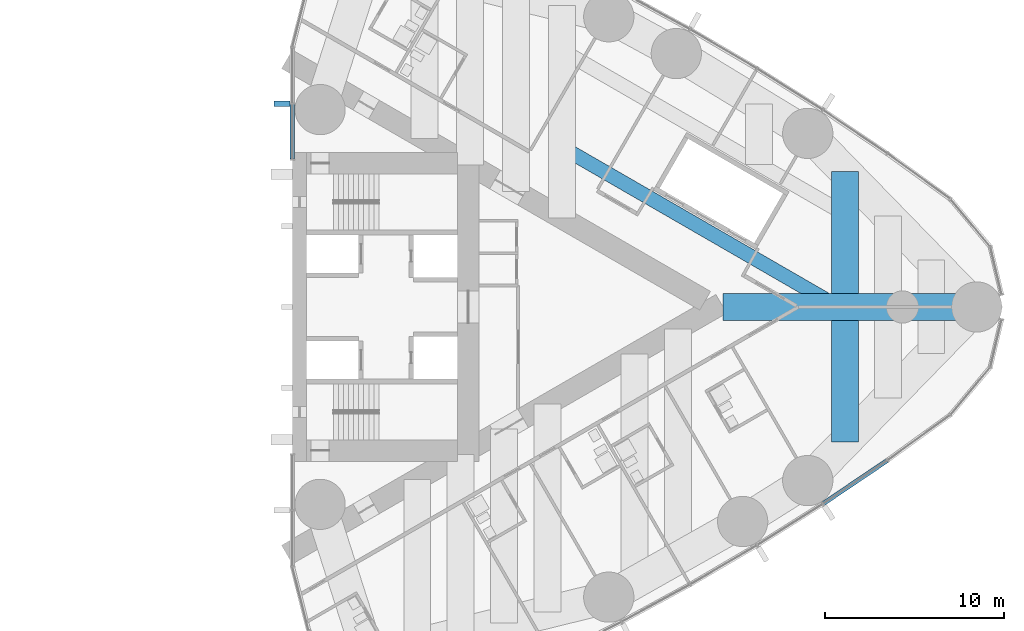
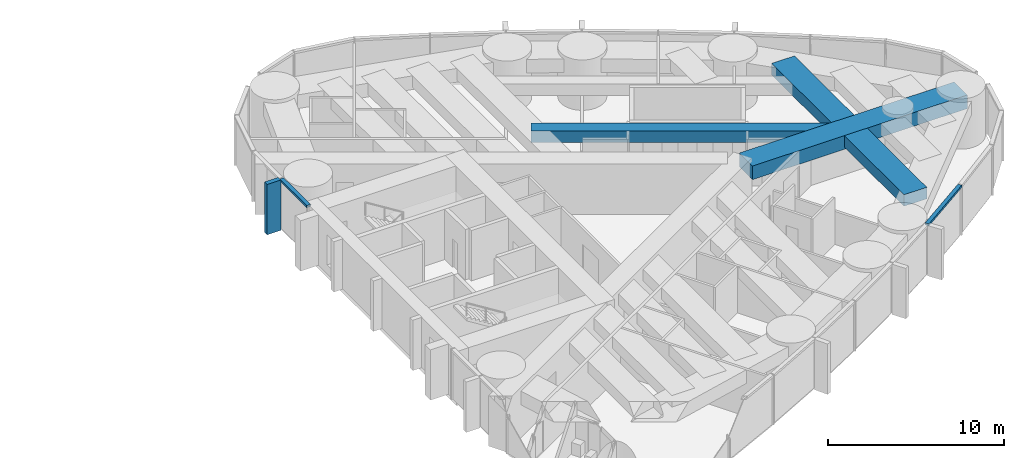
# One storey, part 7 of 19: 4 beams, 3 members, 2 elements without a shape of their own.
"""IFC4 building model written with IfcOpenShell, lengths in metres."""

from ifc_helpers import new_model, si_unit, direction, frame, origin, origin_2d, place, context, subcontext, project, spatial, rectangle, hollow_rectangle, extrude, material, material_profile, profile_set, type_object, element, aggregate, save


model = new_model("IFC4")

# Units and contexts
model_context = context("Model", 3, precision=1e-05, world=origin(), true_north=direction((0.0, 1.0)))
body_context = subcontext(model_context, "Body", "Model", "MODEL_VIEW")
ifc_project = project(units=[si_unit("LENGTHUNIT", "METRE"), si_unit("AREAUNIT", "SQUARE_METRE"), si_unit("VOLUMEUNIT", "CUBIC_METRE"), si_unit("PLANEANGLEUNIT", "RADIAN"), si_unit("MASSUNIT", "GRAM", prefix="KILO")], contexts=[model_context])

# Site, building, storey
site_placement = place(None, origin())
site = spatial("IfcSite", under=ifc_project, at=site_placement, CompositionType="ELEMENT")
building_placement = place(site_placement, origin())
building = spatial("IfcBuilding", under=site, at=building_placement, Name="Lancet Gate Hotel", CompositionType="ELEMENT")
storey_placement = place(building_placement, frame((0.0, 0.0, 194.800048828125)))
storey = spatial("IfcBuildingStorey", under=building, at=storey_placement, Name="L52", CompositionType="ELEMENT", Elevation=194.800048828125)

# Curtain wall, member
ifc_material_1 = material(Name="Aluminium curtain wall", Category="aluminium")
curtain_wall_type = type_object("IfcCurtainWallType", Name="Tower unitised curtain wall", PredefinedType="USERDEFINED", material=ifc_material_1)
curtain_wall_1_placement = place(storey_placement, origin())
curtain_wall_1 = element("IfcCurtainWall", 1, at=curtain_wall_1_placement, inside=storey, type_object=curtain_wall_type, Name="T2 L52 curtain wall 2", ObjectType="UNITISED CURTAIN WALL", PredefinedType="USERDEFINED")
ifc_material_2 = material(Name="Aluminium transom", Category="aluminium")
ifc_material_profile_1 = material_profile(ifc_material_2, rectangle(XDim=0.25, YDim=0.14990234375, at=origin_2d()), Name="TRANSOM 250x150")
ifc_profile_set_1 = profile_set([ifc_material_profile_1], Name="Aluminium transom")
member_type_1 = type_object("IfcMemberType", Name="Aluminium transom 250x150", PredefinedType="USERDEFINED", material=ifc_profile_set_1)
member_1_placement = place(storey_placement, frame((57.093994140625, -10.952880859375, 3.425048828125), z_axis=(0.829046850689, 0.559179147826, 0.0), x_axis=(-0.559179147826, 0.829046850689, 0.0)))
member_1 = element("IfcMember", 2, at=member_1_placement, type_object=member_type_1, Name="T2 L52 curtain wall 2 transom 8", ObjectType="TRANSOM", PredefinedType="USERDEFINED", context=body_context, shape_type="SweptSolid", body=[
    extrude(rectangle(XDim=0.25, YDim=0.14990234375, at=origin_2d()), origin(), (0.0, 0.0, 1.0), 4.26904296875),
])
aggregate(curtain_wall_1, [member_1])

# Curtain wall, members
curtain_wall_2_placement = place(storey_placement, origin())
curtain_wall_2 = element("IfcCurtainWall", 3, at=curtain_wall_2_placement, inside=storey, type_object=curtain_wall_type, Name="T2 L52 curtain wall 4", ObjectType="UNITISED CURTAIN WALL", PredefinedType="USERDEFINED")
member_2_placement = place(storey_placement, frame((27.5, 11.30029296875, 3.425048828125), z_axis=(0.0, -1.0, 0.0), x_axis=(1.0, 0.0, 0.0)))
member_2 = element("IfcMember", 4, at=member_2_placement, type_object=member_type_1, Name="T2 L52 curtain wall 4 transom 4", ObjectType="TRANSOM", PredefinedType="USERDEFINED", context=body_context, shape_type="SweptSolid", body=[
    extrude(rectangle(XDim=0.25, YDim=0.14990234375, at=origin_2d()), origin(), (0.0, 0.0, 1.0), 3.06787109375),
])
ifc_material_3 = material(Name="Precast concrete C50/60", Category="concrete")
ifc_material_profile_2 = material_profile(ifc_material_3, rectangle(XDim=0.300048828125, YDim=0.89990234375, at=origin_2d()), Name="FIN 300x900")
ifc_profile_set_2 = profile_set([ifc_material_profile_2], Name="Precast concrete C50/60")
member_type_2 = type_object("IfcMemberType", Name="Exposed concrete fin 300x900", PredefinedType="USERDEFINED", material=ifc_profile_set_2)
member_3_placement = place(storey_placement, frame((26.925048828125, 11.332763671875, 0.0), z_axis=(0.0, 0.0, 1.0), x_axis=(0.0, -1.0, 0.0)))
member_3 = element("IfcMember", 5, at=member_3_placement, type_object=member_type_2, Name="T2 L52 curtain wall 4 fin 4", ObjectType="FIN", PredefinedType="USERDEFINED", context=body_context, shape_type="SweptSolid", body=[
    extrude(rectangle(XDim=0.300048828125, YDim=0.89990234375, at=origin_2d()), origin(), (0.0, 0.0, 1.0), 3.5),
])
aggregate(curtain_wall_2, [member_3, member_2])

# Beams
ifc_material_4 = material(Name="Concrete C50/60", Category="concrete")
ifc_material_profile_3 = material_profile(ifc_material_4, rectangle(XDim=1.5, YDim=0.800048828125, at=origin_2d()), Name="RC 1500x800")
ifc_profile_set_3 = profile_set([ifc_material_profile_3], Name="Concrete C50/60")
beam_type_1 = type_object("IfcBeamType", Name="Floor beam RC 1500x800", PredefinedType="BEAM", material=ifc_profile_set_3)
for number, where, z_axis, x_axis, name in (
    (6, (58.30224609375, -7.534912109375, 2.849853515625), (0.0, 1.0, 0.0), (-1.0, 0.0, 0.0), "T2 floor beam F12S L52"),
    (7, (58.30224609375, 0.75, 2.849853515625), (0.0, 1.0, 0.0), (-1.0, 0.0, 0.0), "T2 floor beam F13N L52"),
):
    element("IfcBeam", number, at=place(storey_placement, frame(where, z_axis=z_axis, x_axis=x_axis)), inside=storey, type_object=beam_type_1, Name=name, PredefinedType="BEAM", context=body_context, shape_type="SweptSolid", body=[
        extrude(rectangle(XDim=1.5, YDim=0.800048828125, at=origin_2d()), origin(), (0.0, 0.0, 1.0), 6.784912109375),
    ])
ifc_material_5 = material(Name="Concrete C50/60", Category="concrete")
ifc_material_profile_4 = material_profile(ifc_material_5, rectangle(XDim=1.5, YDim=0.949951171875, at=origin_2d()), Name="RC 1500x950")
ifc_profile_set_4 = profile_set([ifc_material_profile_4], Name="Concrete C50/60")
beam_type_2 = type_object("IfcBeamType", Name="Radial floor beam RC 1500x950", PredefinedType="BEAM", material=ifc_profile_set_4)
beam_1_placement = place(storey_placement, frame((65.6396484375, 0.0, 2.77490234375), z_axis=(-1.0, 0.0, 0.0), x_axis=(0.0, -1.0, 0.0)))
element("IfcBeam", 8, at=beam_1_placement, inside=storey, type_object=beam_type_2, Name="T2 radial beam CA L52", PredefinedType="BEAM", context=body_context, shape_type="SweptSolid", body=[
    extrude(rectangle(XDim=1.5, YDim=0.949951171875, at=origin_2d()), origin(), (0.0, 0.0, 1.0), 14.137451171875),
])
ifc_material_6 = material(Name="Steel S460QL", Category="steel")
ifc_material_profile_5 = material_profile(ifc_material_6, hollow_rectangle(XDim=0.800048828125, YDim=0.800048828125, WallThickness=0.080078125, at=origin_2d()), Name="BOX 800x800x80")
ifc_profile_set_5 = profile_set([ifc_material_profile_5], Name="Steel S460QL")
beam_type_3 = type_object("IfcBeamType", Name="Trimmer beam BOX 800x800x80", PredefinedType="BEAM", material=ifc_profile_set_5)
beam_2_placement = place(storey_placement, frame((42.51904296875, 8.90185546875, 2.849853515625), z_axis=(0.865994419471, -0.500053662566, 0.0), x_axis=(0.500053662566, 0.865994419471, 0.0)))
element("IfcBeam", 9, at=beam_2_placement, inside=storey, type_object=beam_type_3, Name="T2 trimmer beam TR02N L52", PredefinedType="BEAM", context=body_context, shape_type="SweptSolid", body=[
    extrude(hollow_rectangle(XDim=0.800048828125, YDim=0.800048828125, WallThickness=0.080078125, at=origin_2d()), origin(), (0.0, 0.0, 1.0), 17.8017578125),
])

save(model, "model.ifc")
